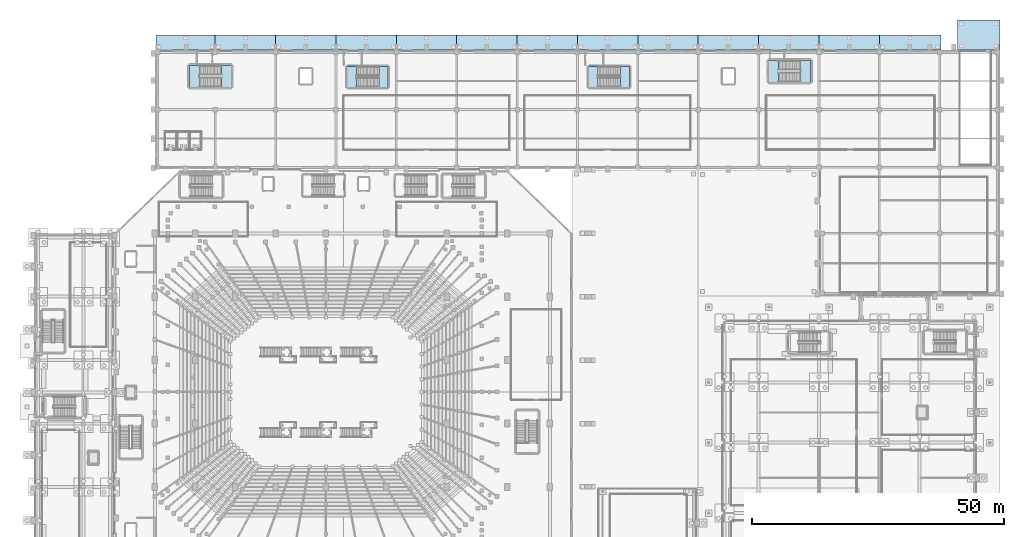
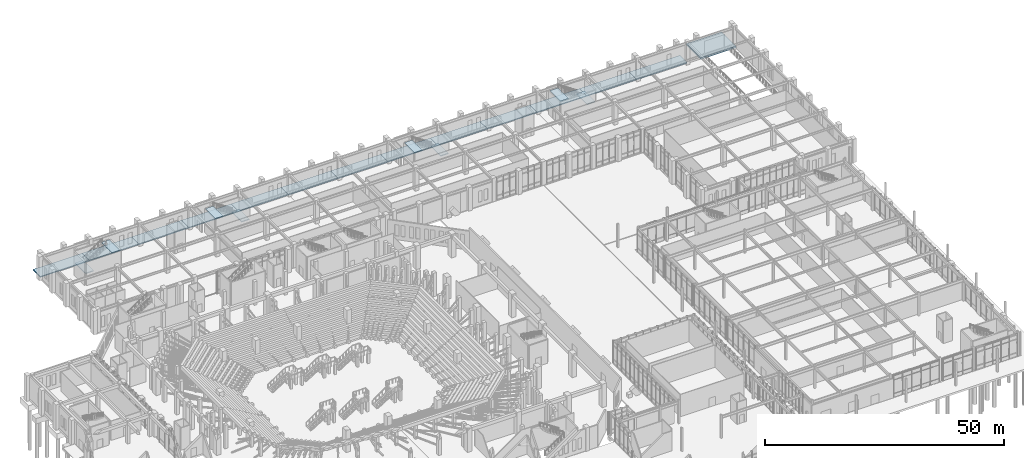
# One storey, part 97 of 143: 22 slabs, 4 elements without a shape of their own.
"""IFC4 building model written with IfcOpenShell, lengths in metres."""

from ifc_helpers import new_model, si_unit, derived_unit, direction, frame, origin, place, context, subcontext, project, spatial, polyline, outline, extrude, material, layer, layer_set, type_object, element, aggregate, save


model = new_model("IFC4")

# Units and contexts
model_context = context("Model", 3, precision=1e-05, world=origin(), true_north=direction((0.0, 1.0)))
body_context = subcontext(model_context, "Body", "Model", "MODEL_VIEW")
ifc_project = project(units=[si_unit("LENGTHUNIT", "METRE"), si_unit("AREAUNIT", "SQUARE_METRE"), si_unit("VOLUMEUNIT", "CUBIC_METRE"), si_unit("PLANEANGLEUNIT", "RADIAN"), si_unit("MASSUNIT", "GRAM", prefix="KILO"), derived_unit("THERMALTRANSMITTANCEUNIT", [(si_unit("MASSUNIT", "GRAM", prefix="KILO"), 1), (si_unit("TIMEUNIT", "SECOND"), -3), (si_unit("THERMODYNAMICTEMPERATUREUNIT", "KELVIN"), -1)])], contexts=[model_context])

# Site, building, storey
site_placement = place(None, origin())
site = spatial("IfcSite", under=ifc_project, at=site_placement, CompositionType="ELEMENT")
building_placement = place(site_placement, origin())
building = spatial("IfcBuilding", under=site, at=building_placement, Name="Valcora Ridge Arena", CompositionType="ELEMENT")
storey_placement = place(building_placement, origin())
storey = spatial("IfcBuildingStorey", under=building, at=storey_placement, Name="L00", CompositionType="ELEMENT", Elevation=0.0)

# Stair, slabs
ifc_material = material(Name="Concrete C40/50", Category="concrete")
stair_type_1 = type_object("IfcStairType", Name="TY-STAIR-ES09-60", PredefinedType="HALF_TURN_STAIR", material=ifc_material)
stair_1_placement = place(storey_placement, origin())
stair_1 = element("IfcStair", 1, at=stair_1_placement, inside=storey, type_object=stair_type_1, Name="ES09-60 STR-ES-0030", PredefinedType="HALF_TURN_STAIR")
ifc_layer_1 = layer(ifc_material, 0.199951171875, Name="Concrete C40/50")
ifc_layer_set_1 = layer_set([ifc_layer_1], Name="Concrete C40/50")
slab_type_1 = type_object("IfcSlabType", Name="TY-LAND-ES09-60", PredefinedType="LANDING", material=ifc_layer_set_1)
slab_1_placement = place(storey_placement, frame((0.0, 0.0, 2.800048828125)))
slab_1 = element("IfcSlab", 2, at=slab_1_placement, type_object=slab_type_1, Name="ES09-60 landing 1", PredefinedType="LANDING", context=body_context, shape_type="SweptSolid", body=[
    extrude(outline(polyline([(68.52001953125, 124.60205078125), (70.35791015625, 124.60205078125), (70.35791015625, 128.798095703125), (68.52001953125, 128.798095703125), (68.52001953125, 124.60205078125)])), origin(), (0.0, 0.0, 1.0), 0.199951171875),
])
slab_2_placement = place(storey_placement, frame((0.0, 0.0, 5.800048828125)))
slab_2 = element("IfcSlab", 3, at=slab_2_placement, type_object=slab_type_1, Name="ES09-60 landing 2", PredefinedType="LANDING", context=body_context, shape_type="SweptSolid", body=[
    extrude(outline(polyline([(62.201904296875, 124.60205078125), (64.080078125, 124.60205078125), (64.080078125, 128.798095703125), (62.201904296875, 128.798095703125), (62.201904296875, 124.60205078125)])), origin(), (0.0, 0.0, 1.0), 0.199951171875),
])
aggregate(stair_1, [slab_1, slab_2])

stair_type_2 = type_object("IfcStairType", Name="TY-STAIR-ES10-60", PredefinedType="HALF_TURN_STAIR", material=ifc_material)
stair_2_placement = place(storey_placement, origin())
stair_2 = element("IfcStair", 4, at=stair_2_placement, inside=storey, type_object=stair_type_2, Name="ES10-60 STR-ES-0033", PredefinedType="HALF_TURN_STAIR")
ifc_layer_2 = layer(ifc_material, 0.199951171875, Name="Concrete C40/50")
ifc_layer_set_2 = layer_set([ifc_layer_2], Name="Concrete C40/50")
slab_type_2 = type_object("IfcSlabType", Name="TY-LAND-ES10-60", PredefinedType="LANDING", material=ifc_layer_set_2)
slab_3_placement = place(storey_placement, frame((0.0, 0.0, 2.800048828125)))
slab_3 = element("IfcSlab", 5, at=slab_3_placement, type_object=slab_type_2, Name="ES10-60 landing 1", PredefinedType="LANDING", context=body_context, shape_type="SweptSolid", body=[
    extrude(outline(polyline([(116.52001953125, 124.60205078125), (118.35791015625, 124.60205078125), (118.35791015625, 128.798095703125), (116.52001953125, 128.798095703125), (116.52001953125, 124.60205078125)])), origin(), (0.0, 0.0, 1.0), 0.199951171875),
])
slab_4_placement = place(storey_placement, frame((0.0, 0.0, 5.800048828125)))
slab_4 = element("IfcSlab", 6, at=slab_4_placement, type_object=slab_type_2, Name="ES10-60 landing 2", PredefinedType="LANDING", context=body_context, shape_type="SweptSolid", body=[
    extrude(outline(polyline([(110.201904296875, 124.60205078125), (112.080078125, 124.60205078125), (112.080078125, 128.798095703125), (110.201904296875, 128.798095703125), (110.201904296875, 124.60205078125)])), origin(), (0.0, 0.0, 1.0), 0.199951171875),
])
aggregate(stair_2, [slab_3, slab_4])

stair_type_3 = type_object("IfcStairType", Name="TY-STAIR-ST09-60", PredefinedType="HALF_TURN_STAIR", material=ifc_material)
stair_3_placement = place(storey_placement, origin())
stair_3 = element("IfcStair", 7, at=stair_3_placement, inside=storey, type_object=stair_type_3, Name="ST09-60 STR-CR-0038", PredefinedType="HALF_TURN_STAIR")
ifc_layer_3 = layer(ifc_material, 0.199951171875, Name="Concrete C40/50")
ifc_layer_set_3 = layer_set([ifc_layer_3], Name="Concrete C40/50")
slab_type_3 = type_object("IfcSlabType", Name="TY-LAND-ST09-60", PredefinedType="LANDING", material=ifc_layer_set_3)
slab_5_placement = place(storey_placement, frame((0.0, 0.0, 2.800048828125)))
slab_5 = element("IfcSlab", 8, at=slab_5_placement, type_object=slab_type_3, Name="ST09-60 landing 1", PredefinedType="LANDING", context=body_context, shape_type="SweptSolid", body=[
    extrude(outline(polyline([(30.882080078125, 124.60205078125), (32.830078125, 124.60205078125), (32.830078125, 128.998046875), (30.882080078125, 128.998046875), (30.882080078125, 124.60205078125)])), origin(), (0.0, 0.0, 1.0), 0.199951171875),
])
slab_6_placement = place(storey_placement, frame((0.0, 0.0, 5.800048828125)))
slab_6 = element("IfcSlab", 9, at=slab_6_placement, type_object=slab_type_3, Name="ST09-60 landing 2", PredefinedType="LANDING", context=body_context, shape_type="SweptSolid", body=[
    extrude(outline(polyline([(37.27001953125, 124.60205078125), (39.197998046875, 124.60205078125), (39.197998046875, 128.998046875), (37.27001953125, 128.998046875), (37.27001953125, 124.60205078125)])), origin(), (0.0, 0.0, 1.0), 0.199951171875),
])
aggregate(stair_3, [slab_5, slab_6])

stair_type_4 = type_object("IfcStairType", Name="TY-STAIR-ST10-60", PredefinedType="HALF_TURN_STAIR", material=ifc_material)
stair_4_placement = place(storey_placement, origin())
stair_4 = element("IfcStair", 10, at=stair_4_placement, inside=storey, type_object=stair_type_4, Name="ST10-60 STR-CR-0042", PredefinedType="HALF_TURN_STAIR")
ifc_layer_4 = layer(ifc_material, 0.199951171875, Name="Concrete C40/50")
ifc_layer_set_4 = layer_set([ifc_layer_4], Name="Concrete C40/50")
slab_type_4 = type_object("IfcSlabType", Name="TY-LAND-ST10-60", PredefinedType="LANDING", material=ifc_layer_set_4)
slab_7_placement = place(storey_placement, frame((0.0, 0.0, 2.800048828125)))
slab_7 = element("IfcSlab", 11, at=slab_7_placement, type_object=slab_type_4, Name="ST10-60 landing 1", PredefinedType="LANDING", context=body_context, shape_type="SweptSolid", body=[
    extrude(outline(polyline([(152.3701171875, 125.60205078125), (154.318115234375, 125.60205078125), (154.318115234375, 129.998046875), (152.3701171875, 129.998046875), (152.3701171875, 125.60205078125)])), origin(), (0.0, 0.0, 1.0), 0.199951171875),
])
slab_8_placement = place(storey_placement, frame((0.0, 0.0, 5.800048828125)))
slab_8 = element("IfcSlab", 12, at=slab_8_placement, type_object=slab_type_4, Name="ST10-60 landing 2", PredefinedType="LANDING", context=body_context, shape_type="SweptSolid", body=[
    extrude(outline(polyline([(146.001953125, 125.60205078125), (147.929931640625, 125.60205078125), (147.929931640625, 129.998046875), (146.001953125, 129.998046875), (146.001953125, 125.60205078125)])), origin(), (0.0, 0.0, 1.0), 0.199951171875),
])
aggregate(stair_4, [slab_7, slab_8])

# Slabs
ifc_layer_5 = layer(ifc_material, 0.39990234375, Name="Concrete C40/50")
ifc_layer_set_5 = layer_set([ifc_layer_5], Name="Concrete C40/50")
slab_type_5 = type_object("IfcSlabType", Name="TY-SLAB-SL-APRON-RAMP", PredefinedType="USERDEFINED", material=ifc_layer_set_5)
slab_9_placement = place(storey_placement, frame((0.0, 0.0, -0.39990234375)))
element("IfcSlab", 13, at=slab_9_placement, inside=storey, type_object=slab_type_5, Name="SL-APRON-RAMP SLB-0025", ObjectType="PAVING", PredefinedType="USERDEFINED", context=body_context, shape_type="SweptSolid", body=[
    extrude(outline(polyline([(192.0, 132.0), (192.0, 138.0), (183.5, 138.0), (183.5, 132.0), (192.0, 132.0)])), origin(), (0.0, 0.0, 1.0), 0.39990234375),
])
ifc_layer_6 = layer(ifc_material, 0.239990234375, Name="Concrete C40/50")
ifc_layer_set_6 = layer_set([ifc_layer_6], Name="Concrete C40/50")
slab_type_6 = type_object("IfcSlabType", Name="TY-SLAB-SL-PAD-EXT", PredefinedType="USERDEFINED", material=ifc_layer_set_6)
slab_10_placement = place(storey_placement, frame((0.0, 0.0, -0.239990234375)))
element("IfcSlab", 14, at=slab_10_placement, inside=storey, type_object=slab_type_6, Name="SL-PAD-EXT SLB-PV-0001", ObjectType="PAVING", PredefinedType="USERDEFINED", context=body_context, shape_type="SweptSolid", body=[
    extrude(outline(polyline([(24.219970703125, 132.0), (36.0, 132.0), (36.0, 135.0), (24.219970703125, 135.0), (24.219970703125, 132.0)])), origin(), (0.0, 0.0, 1.0), 0.239990234375),
])
slab_11_placement = place(storey_placement, frame((0.0, 0.0, -0.239990234375)))
element("IfcSlab", 15, at=slab_11_placement, inside=storey, type_object=slab_type_6, Name="SL-PAD-EXT SLB-PV-0002", ObjectType="PAVING", PredefinedType="USERDEFINED", context=body_context, shape_type="SweptSolid", body=[
    extrude(outline(polyline([(36.0, 132.0), (48.0, 132.0), (48.0, 135.0), (36.0, 135.0), (36.0, 132.0)])), origin(), (0.0, 0.0, 1.0), 0.239990234375),
])
slab_12_placement = place(storey_placement, frame((0.0, 0.0, -0.239990234375)))
element("IfcSlab", 16, at=slab_12_placement, inside=storey, type_object=slab_type_6, Name="SL-PAD-EXT SLB-PV-0003", ObjectType="PAVING", PredefinedType="USERDEFINED", context=body_context, shape_type="SweptSolid", body=[
    extrude(outline(polyline([(48.0, 132.0), (60.0, 132.0), (60.0, 135.0), (48.0, 135.0), (48.0, 132.0)])), origin(), (0.0, 0.0, 1.0), 0.239990234375),
])
slab_13_placement = place(storey_placement, frame((0.0, 0.0, -0.239990234375)))
element("IfcSlab", 17, at=slab_13_placement, inside=storey, type_object=slab_type_6, Name="SL-PAD-EXT SLB-PV-0004", ObjectType="PAVING", PredefinedType="USERDEFINED", context=body_context, shape_type="SweptSolid", body=[
    extrude(outline(polyline([(60.0, 132.0), (72.0, 132.0), (72.0, 135.0), (60.0, 135.0), (60.0, 132.0)])), origin(), (0.0, 0.0, 1.0), 0.239990234375),
])
slab_14_placement = place(storey_placement, frame((0.0, 0.0, -0.239990234375)))
element("IfcSlab", 18, at=slab_14_placement, inside=storey, type_object=slab_type_6, Name="SL-PAD-EXT SLB-PV-0005", ObjectType="PAVING", PredefinedType="USERDEFINED", context=body_context, shape_type="SweptSolid", body=[
    extrude(outline(polyline([(72.0, 132.0), (84.0, 132.0), (84.0, 135.0), (72.0, 135.0), (72.0, 132.0)])), origin(), (0.0, 0.0, 1.0), 0.239990234375),
])
slab_15_placement = place(storey_placement, frame((0.0, 0.0, -0.239990234375)))
element("IfcSlab", 19, at=slab_15_placement, inside=storey, type_object=slab_type_6, Name="SL-PAD-EXT SLB-PV-0006", ObjectType="PAVING", PredefinedType="USERDEFINED", context=body_context, shape_type="SweptSolid", body=[
    extrude(outline(polyline([(84.0, 132.0), (96.0, 132.0), (96.0, 135.0), (84.0, 135.0), (84.0, 132.0)])), origin(), (0.0, 0.0, 1.0), 0.239990234375),
])
slab_16_placement = place(storey_placement, frame((0.0, 0.0, -0.239990234375)))
element("IfcSlab", 20, at=slab_16_placement, inside=storey, type_object=slab_type_6, Name="SL-PAD-EXT SLB-PV-0007", ObjectType="PAVING", PredefinedType="USERDEFINED", context=body_context, shape_type="SweptSolid", body=[
    extrude(outline(polyline([(96.0, 132.0), (108.0, 132.0), (108.0, 135.0), (96.0, 135.0), (96.0, 132.0)])), origin(), (0.0, 0.0, 1.0), 0.239990234375),
])
slab_17_placement = place(storey_placement, frame((0.0, 0.0, -0.239990234375)))
element("IfcSlab", 21, at=slab_17_placement, inside=storey, type_object=slab_type_6, Name="SL-PAD-EXT SLB-PV-0008", ObjectType="PAVING", PredefinedType="USERDEFINED", context=body_context, shape_type="SweptSolid", body=[
    extrude(outline(polyline([(108.0, 132.0), (120.0, 132.0), (120.0, 135.0), (108.0, 135.0), (108.0, 132.0)])), origin(), (0.0, 0.0, 1.0), 0.239990234375),
])
slab_18_placement = place(storey_placement, frame((0.0, 0.0, -0.239990234375)))
element("IfcSlab", 22, at=slab_18_placement, inside=storey, type_object=slab_type_6, Name="SL-PAD-EXT SLB-PV-0009", ObjectType="PAVING", PredefinedType="USERDEFINED", context=body_context, shape_type="SweptSolid", body=[
    extrude(outline(polyline([(120.0, 132.0), (132.0, 132.0), (132.0, 135.0), (120.0, 135.0), (120.0, 132.0)])), origin(), (0.0, 0.0, 1.0), 0.239990234375),
])
slab_19_placement = place(storey_placement, frame((0.0, 0.0, -0.239990234375)))
element("IfcSlab", 23, at=slab_19_placement, inside=storey, type_object=slab_type_6, Name="SL-PAD-EXT SLB-PV-0010", ObjectType="PAVING", PredefinedType="USERDEFINED", context=body_context, shape_type="SweptSolid", body=[
    extrude(outline(polyline([(132.0, 132.0), (144.0, 132.0), (144.0, 135.0), (132.0, 135.0), (132.0, 132.0)])), origin(), (0.0, 0.0, 1.0), 0.239990234375),
])
slab_20_placement = place(storey_placement, frame((0.0, 0.0, -0.239990234375)))
element("IfcSlab", 24, at=slab_20_placement, inside=storey, type_object=slab_type_6, Name="SL-PAD-EXT SLB-PV-0011", ObjectType="PAVING", PredefinedType="USERDEFINED", context=body_context, shape_type="SweptSolid", body=[
    extrude(outline(polyline([(144.0, 132.0), (156.0, 132.0), (156.0, 135.0), (144.0, 135.0), (144.0, 132.0)])), origin(), (0.0, 0.0, 1.0), 0.239990234375),
])
slab_21_placement = place(storey_placement, frame((0.0, 0.0, -0.239990234375)))
element("IfcSlab", 25, at=slab_21_placement, inside=storey, type_object=slab_type_6, Name="SL-PAD-EXT SLB-PV-0012", ObjectType="PAVING", PredefinedType="USERDEFINED", context=body_context, shape_type="SweptSolid", body=[
    extrude(outline(polyline([(156.0, 132.0), (168.0, 132.0), (168.0, 135.0), (156.0, 135.0), (156.0, 132.0)])), origin(), (0.0, 0.0, 1.0), 0.239990234375),
])
slab_22_placement = place(storey_placement, frame((0.0, 0.0, -0.239990234375)))
element("IfcSlab", 26, at=slab_22_placement, inside=storey, type_object=slab_type_6, Name="SL-PAD-EXT SLB-PV-0013", ObjectType="PAVING", PredefinedType="USERDEFINED", context=body_context, shape_type="SweptSolid", body=[
    extrude(outline(polyline([(168.0, 132.0), (180.199951171875, 132.0), (180.199951171875, 135.0), (168.0, 135.0), (168.0, 132.0)])), origin(), (0.0, 0.0, 1.0), 0.239990234375),
])

save(model, "model.ifc")
